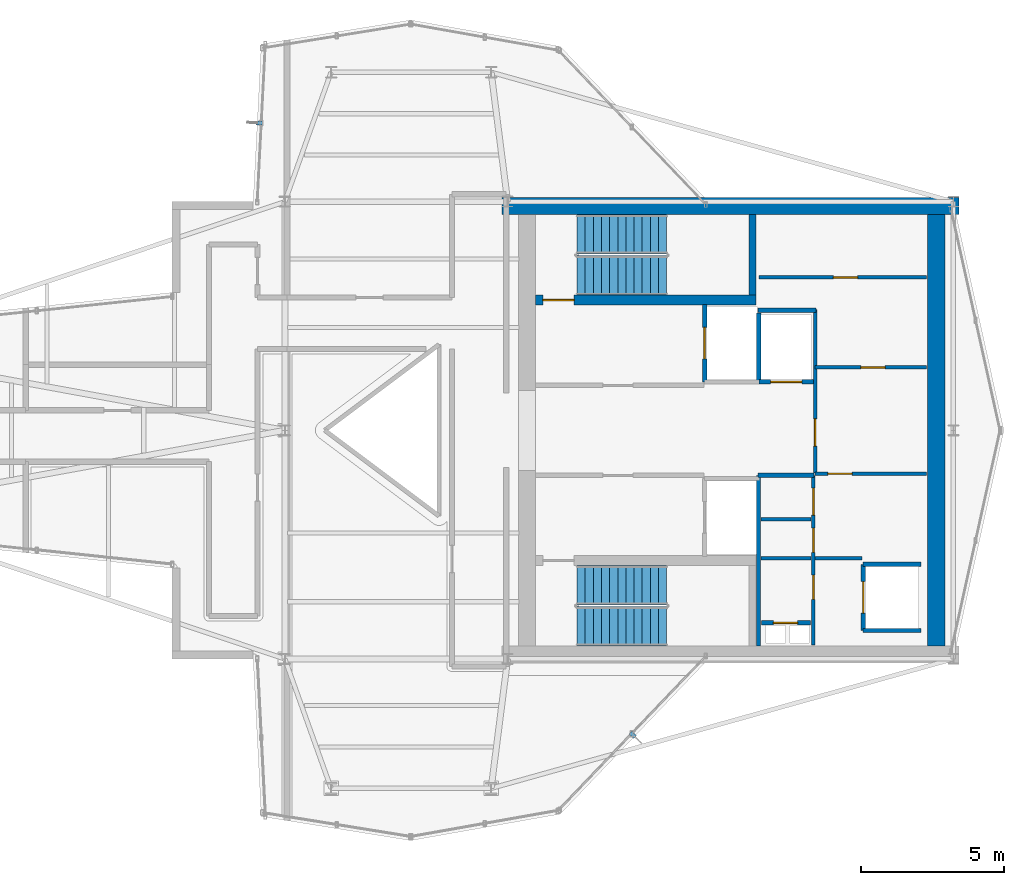
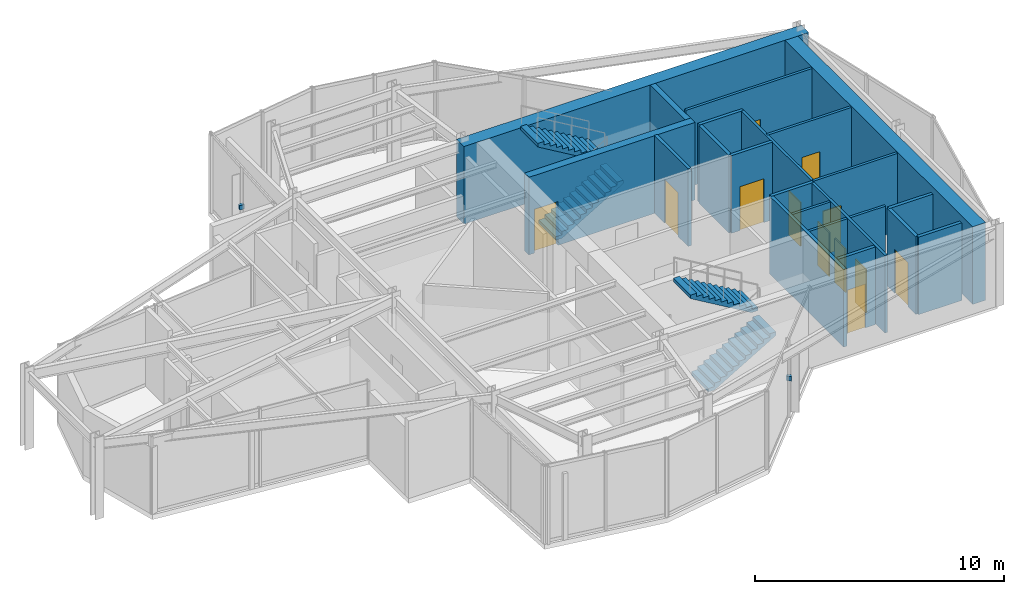
# One storey, part 12 of 14: 22 walls, 12 doors, 4 stair flights, 2 discrete accessories, 12 openings, 2 elements without a shape of their own.
"""IFC4 building model written with IfcOpenShell, lengths in metres."""

from ifc_helpers import new_model, si_unit, direction, frame, frame_2d, origin, origin_2d, place, context, subcontext, project, spatial, polyline, rectangle, outline, extrude, material, layer, layer_set, type_object, element, fill, aggregate, save


model = new_model("IFC4")

# Units and contexts
model_context = context("Model", 3, precision=1e-05, world=origin(), true_north=direction((0.0, 1.0)))
body_context = subcontext(model_context, "Body", "Model", "MODEL_VIEW")
ifc_project = project(units=[si_unit("LENGTHUNIT", "METRE"), si_unit("AREAUNIT", "SQUARE_METRE"), si_unit("VOLUMEUNIT", "CUBIC_METRE"), si_unit("PLANEANGLEUNIT", "RADIAN"), si_unit("MASSUNIT", "GRAM", prefix="KILO")], contexts=[model_context])

# Site, building, storey
site_placement = place(None, origin())
site = spatial("IfcSite", under=ifc_project, at=site_placement, CompositionType="ELEMENT")
building_placement = place(site_placement, origin())
building = spatial("IfcBuilding", under=site, at=building_placement, Name="Veymaron Broadcast Tower", CompositionType="ELEMENT")
storey_placement = place(building_placement, frame((0.0, 0.0, 295.199951171875)))
storey = spatial("IfcBuildingStorey", under=building, at=storey_placement, Name="L69", CompositionType="ELEMENT", Elevation=295.199951171875)

# Wall, opening, door
ifc_material_1 = material(Name="Gypsum fireboard and steel stud framing", Category="steel")
ifc_layer_1 = layer(ifc_material_1, 0.14990234375)
ifc_layer_set_1 = layer_set([ifc_layer_1], Name="Gypsum fireboard and steel stud framing")
wall_type_1 = type_object("IfcWallType", Name="WALL-FIRE-150", PredefinedType="PARTITIONING", material=ifc_layer_set_1)
wall_1_placement = place(storey_placement, frame((45.89501953125, 25.68994140625, 0.0), z_axis=(0.0, 0.0, 1.0), x_axis=(0.0, 1.0, 0.0)))
wall_1 = element("IfcWall", 1, at=wall_1_placement, inside=storey, type_object=wall_type_1, Name="L69 partition IW-L69-SHW-FFL-1", PredefinedType="PARTITIONING", context=body_context, shape_type="SweptSolid", body=[
    extrude(rectangle(XDim=2.719970703125, YDim=0.14990234375, at=frame_2d((1.35986328125, 0.0))), origin(), (0.0, 0.0, 1.0), 3.81005859375),
])
opening_1_placement = place(wall_1_placement, frame((0.81005859375, 0.0, 0.0)))
opening_1 = element("IfcOpeningElement", 2, at=opening_1_placement, cuts=wall_1, Name="Opening LD", PredefinedType="OPENING", context=body_context, shape_type="SweptSolid", body=[
    extrude(rectangle(XDim=1.10009765625, YDim=2.14990234375, at=frame_2d((0.550048828125, 1.074951171875))), frame((0.0, 0.0849609375, 0.0), z_axis=(0.0, -1.0, 0.0), x_axis=(1.0, 0.0, 0.0)), (0.0, 0.0, 1.0), 0.169921875),
])
ifc_material_2 = material(Name="Brushed stainless steel AISI 304", Category="steel")
door_type_1 = type_object("IfcDoorType", Name="DOOR-LIFT-1100", OperationType="DOUBLE_DOOR_SLIDING", PredefinedType="DOOR", material=ifc_material_2)
door_1_placement = place(opening_1_placement, frame((1.10009765625, 0.0, 0.0), z_axis=(0.0, 0.0, 1.0), x_axis=(-1.0, 0.0, 0.0)))
door_1 = element("IfcDoor", 3, at=door_1_placement, inside=storey, type_object=door_type_1, Name="L69 door LD-L69-FFL-1", OperationType="DOUBLE_DOOR_SLIDING", OverallHeight=2.14990234375, OverallWidth=1.10009765625, PredefinedType="DOOR", context=body_context, shape_type="SweptSolid", body=[
    extrude(rectangle(XDim=1.10009765625, YDim=2.14990234375, at=frame_2d((0.550048828125, 1.074951171875))), frame((0.0, 0.02490234375, 0.0), z_axis=(0.0, -1.0, 0.0), x_axis=(1.0, 0.0, 0.0)), (0.0, 0.0, 1.0), 0.050048828125),
])
fill(opening_1, door_1)

wall_2_placement = place(storey_placement, frame((47.7900390625, 25.695068359375, 0.0), z_axis=(0.0, 0.0, 1.0), x_axis=(1.0, 0.0, 0.0)))
wall_2 = element("IfcWall", 4, at=wall_2_placement, inside=storey, type_object=wall_type_1, Name="L69 partition IW-L69-SHS-SL-1", PredefinedType="PARTITIONING", context=body_context, shape_type="SweptSolid", body=[
    extrude(rectangle(XDim=1.919921875, YDim=0.14990234375, at=frame_2d((0.9599609375, 0.0))), origin(), (0.0, 0.0, 1.0), 3.81005859375),
])
opening_2_placement = place(wall_2_placement, frame((0.409912109375, 0.0, 0.0)))
opening_2 = element("IfcOpeningElement", 5, at=opening_2_placement, cuts=wall_2, Name="Opening LD", PredefinedType="OPENING", context=body_context, shape_type="SweptSolid", body=[
    extrude(rectangle(XDim=1.10009765625, YDim=2.14990234375, at=frame_2d((0.550048828125, 1.074951171875))), frame((0.0, 0.0849609375, 0.0), z_axis=(0.0, -1.0, 0.0), x_axis=(1.0, 0.0, 0.0)), (0.0, 0.0, 1.0), 0.169921875),
])
door_2_placement = place(opening_2_placement, frame((1.10009765625, 0.0, 0.0), z_axis=(0.0, 0.0, 1.0), x_axis=(-1.0, 0.0, 0.0)))
door_2 = element("IfcDoor", 6, at=door_2_placement, inside=storey, type_object=door_type_1, Name="L69 door LD-L69-SL-1", OperationType="DOUBLE_DOOR_SLIDING", OverallHeight=2.14990234375, OverallWidth=1.10009765625, PredefinedType="DOOR", context=body_context, shape_type="SweptSolid", body=[
    extrude(rectangle(XDim=1.10009765625, YDim=2.14990234375, at=frame_2d((0.550048828125, 1.074951171875))), frame((0.0, 0.02490234375, 0.0), z_axis=(0.0, -1.0, 0.0), x_axis=(1.0, 0.0, 0.0)), (0.0, 0.0, 1.0), 0.050048828125),
])
fill(opening_2, door_2)

# Wall
wall_3_placement = place(storey_placement, frame((47.7900390625, 25.695068359375, 0.0), z_axis=(0.0, 0.0, 1.0), x_axis=(0.0, 1.0, 0.0)))
element("IfcWall", 7, at=wall_3_placement, inside=storey, type_object=wall_type_1, Name="L69 partition IW-L69-SHW-SL-1", PredefinedType="PARTITIONING", context=body_context, shape_type="SweptSolid", body=[
    extrude(rectangle(XDim=2.4150390625, YDim=0.14990234375, at=frame_2d((1.20751953125, 0.0))), origin(), (0.0, 0.0, 1.0), 3.81005859375),
])

# Wall, opening, door
wall_4_placement = place(storey_placement, frame((51.445068359375, 16.989990234375, 0.0), z_axis=(0.0, 0.0, 1.0), x_axis=(0.0, 1.0, 0.0)))
wall_4 = element("IfcWall", 8, at=wall_4_placement, inside=storey, type_object=wall_type_1, Name="L69 partition IW-L69-SHW-PH1", PredefinedType="PARTITIONING", context=body_context, shape_type="SweptSolid", body=[
    extrude(rectangle(XDim=2.320068359375, YDim=0.14990234375, at=frame_2d((1.16015625, 0.0))), origin(), (0.0, 0.0, 1.0), 3.81005859375),
])
opening_3_placement = place(wall_4_placement, frame((0.610107421875, 0.0, 0.0)))
opening_3 = element("IfcOpeningElement", 9, at=opening_3_placement, cuts=wall_4, Name="Opening LD", PredefinedType="OPENING", context=body_context, shape_type="SweptSolid", body=[
    extrude(rectangle(XDim=1.10009765625, YDim=2.14990234375, at=frame_2d((0.550048828125, 1.074951171875))), frame((0.0, 0.0849609375, 0.0), z_axis=(0.0, -1.0, 0.0), x_axis=(1.0, 0.0, 0.0)), (0.0, 0.0, 1.0), 0.169921875),
])
door_3_placement = place(opening_3_placement, frame((1.10009765625, 0.0, 0.0), z_axis=(0.0, 0.0, 1.0), x_axis=(-1.0, 0.0, 0.0)))
door_3 = element("IfcDoor", 10, at=door_3_placement, inside=storey, type_object=door_type_1, Name="L69 door LD-L69-PH1", OperationType="DOUBLE_DOOR_SLIDING", OverallHeight=2.14990234375, OverallWidth=1.10009765625, PredefinedType="DOOR", context=body_context, shape_type="SweptSolid", body=[
    extrude(rectangle(XDim=1.10009765625, YDim=2.14990234375, at=frame_2d((0.550048828125, 1.074951171875))), frame((0.0, 0.02490234375, 0.0), z_axis=(0.0, -1.0, 0.0), x_axis=(1.0, 0.0, 0.0)), (0.0, 0.0, 1.0), 0.050048828125),
])
fill(opening_3, door_3)

# Walls
for number, where, z_axis, x_axis, name in (
    (11, (51.445068359375, 16.989990234375, 0.0), (0.0, 0.0, 1.0), (1.0, 0.0, 0.0), "L69 partition IW-L69-SHS-PH1"),
    (12, (51.445068359375, 19.31005859375, 0.0), (0.0, 0.0, 1.0), (1.0, 0.0, 0.0), "L69 partition IW-L69-SHN-PH1"),
):
    element("IfcWall", number, at=place(storey_placement, frame(where, z_axis=z_axis, x_axis=x_axis)), inside=storey, type_object=wall_type_1, Name=name, PredefinedType="PARTITIONING", context=body_context, shape_type="SweptSolid", body=[
        extrude(rectangle(XDim=2.014892578125, YDim=0.14990234375, at=frame_2d((1.00732421875, 0.0))), origin(), (0.0, 0.0, 1.0), 3.81005859375),
    ])

# Wall, opening, door
wall_5_placement = place(storey_placement, frame((47.8798828125, 17.260009765625, 0.0), z_axis=(0.0, 0.0, 1.0), x_axis=(1.0, 0.0, 0.0)))
wall_5 = element("IfcWall", 13, at=wall_5_placement, inside=storey, type_object=wall_type_1, Name="L69 partition IW-L69-RIS-N", PredefinedType="PARTITIONING", context=body_context, shape_type="SweptSolid", body=[
    extrude(rectangle(XDim=1.72021484375, YDim=0.14990234375, at=frame_2d((0.860107421875, 0.0))), origin(), (0.0, 0.0, 1.0), 3.81005859375),
])
opening_4_placement = place(wall_5_placement, frame((0.419921875, 0.0, 0.0)))
opening_4 = element("IfcOpeningElement", 14, at=opening_4_placement, cuts=wall_5, Name="Opening ID-RS1", PredefinedType="OPENING", context=body_context, shape_type="SweptSolid", body=[
    extrude(rectangle(XDim=0.85009765625, YDim=2.14990234375, at=frame_2d((0.425048828125, 1.074951171875))), frame((0.0, 0.0849609375, 0.0), z_axis=(0.0, -1.0, 0.0), x_axis=(1.0, 0.0, 0.0)), (0.0, 0.0, 1.0), 0.169921875),
])
ifc_material_3 = material(Name="Fire-rated powder-coated steel riser leaf", Category="steel")
door_type_2 = type_object("IfcDoorType", Name="DOOR-RIS-850", OperationType="NOTDEFINED", PredefinedType="TRAPDOOR", material=ifc_material_3)
door_4_placement = place(opening_4_placement, origin())
door_4 = element("IfcDoor", 15, at=door_4_placement, inside=storey, type_object=door_type_2, Name="L69 door DR-L69-RIS", OperationType="SINGLE_SWING_LEFT", OverallHeight=2.14990234375, OverallWidth=0.85009765625, PredefinedType="TRAPDOOR", context=body_context, shape_type="SweptSolid", body=[
    extrude(rectangle(XDim=0.85009765625, YDim=2.14990234375, at=frame_2d((0.425048828125, 1.074951171875))), frame((0.0, 0.02490234375, 0.0), z_axis=(0.0, -1.0, 0.0), x_axis=(1.0, 0.0, 0.0)), (0.0, 0.0, 1.0), 0.050048828125),
])
fill(opening_4, door_4)

# Walls
wall_6_placement = place(storey_placement, frame((47.760009765625, 22.425048828125, 0.0), z_axis=(0.0, 0.0, 1.0), x_axis=(1.0, 0.0, 0.0)))
element("IfcWall", 16, at=wall_6_placement, inside=storey, type_object=wall_type_1, Name="L69 partition IW-L69-SM-N", PredefinedType="PARTITIONING", context=body_context, shape_type="SweptSolid", body=[
    extrude(rectangle(XDim=1.9599609375, YDim=0.14990234375, at=frame_2d((0.97998046875, 0.0))), origin(), (0.0, 0.0, 1.0), 3.81005859375),
])
wall_7_placement = place(storey_placement, frame((47.780029296875, 16.449951171875, 0.0), z_axis=(0.0, 0.0, 1.0), x_axis=(0.0, 1.0, 0.0)))
element("IfcWall", 17, at=wall_7_placement, inside=storey, type_object=wall_type_1, Name="L69 partition IW-L69-SM-W", PredefinedType="PARTITIONING", context=body_context, shape_type="SweptSolid", body=[
    extrude(rectangle(XDim=5.97509765625, YDim=0.14990234375, at=frame_2d((2.987548828125, 0.0))), origin(), (0.0, 0.0, 1.0), 3.81005859375),
])
wall_8_placement = place(storey_placement, frame((47.760009765625, 28.199951171875, 0.0), z_axis=(0.0, 0.0, 1.0), x_axis=(1.0, 0.0, 0.0)))
element("IfcWall", 18, at=wall_8_placement, inside=storey, type_object=wall_type_1, Name="L69 partition IW-L69-F3-SW", PredefinedType="PARTITIONING", context=body_context, shape_type="SweptSolid", body=[
    extrude(rectangle(XDim=2.0400390625, YDim=0.14990234375, at=frame_2d((1.02001953125, 0.0))), origin(), (0.0, 0.0, 1.0), 3.81005859375),
])
ifc_material_4 = material(Name="Acoustic gypsum board and galvanized stud", Category="gypsum")
ifc_layer_2 = layer(ifc_material_4, 0.1201171875)
ifc_layer_set_2 = layer_set([ifc_layer_2], Name="Acoustic gypsum board and galvanized stud")
wall_type_2 = type_object("IfcWallType", Name="WALL-PART-120", PredefinedType="PARTITIONING", material=ifc_layer_set_2)
for number, where, z_axis, x_axis, name in (
    (19, (47.860107421875, 19.52001953125, 0.0), (0.0, 0.0, 1.0), (1.0, 0.0, 0.0), "L69 partition IW-L69-SM-D1"),
    (20, (47.860107421875, 20.8798828125, 0.0), (0.0, 0.0, 1.0), (1.0, 0.0, 0.0), "L69 partition IW-L69-SM-D2"),
):
    element("IfcWall", number, at=place(storey_placement, frame(where, z_axis=z_axis, x_axis=x_axis)), inside=storey, type_object=wall_type_2, Name=name, PredefinedType="PARTITIONING", context=body_context, shape_type="SweptSolid", body=[
        extrude(rectangle(XDim=1.760009765625, YDim=0.1201171875, at=frame_2d((0.8798828125, 0.0))), origin(), (0.0, 0.0, 1.0), 3.81005859375),
    ])

# Wall, openings, doors
wall_9_placement = place(storey_placement, frame((49.699951171875, 16.47998046875, 0.0), z_axis=(0.0, 0.0, 1.0), x_axis=(0.0, 1.0, 0.0)))
wall_9 = element("IfcWall", 21, at=wall_9_placement, inside=storey, type_object=wall_type_2, Name="L69 partition IW-L69-SM-E", PredefinedType="PARTITIONING", context=body_context, shape_type="SweptSolid", body=[
    extrude(rectangle(XDim=5.945068359375, YDim=0.1201171875, at=frame_2d((2.97265625, 0.0))), origin(), (0.0, 0.0, 1.0), 3.81005859375),
])
opening_5_placement = place(wall_9_placement, frame((1.60009765625, 0.0, 0.0)))
opening_5 = element("IfcOpeningElement", 22, at=opening_5_placement, cuts=wall_9, Name="Opening ID-WC1", PredefinedType="OPENING", context=body_context, shape_type="SweptSolid", body=[
    extrude(rectangle(XDim=0.85009765625, YDim=2.14990234375, at=frame_2d((0.425048828125, 1.074951171875))), frame((0.0, 0.070068359375, 0.0), z_axis=(0.0, -1.0, 0.0), x_axis=(1.0, 0.0, 0.0)), (0.0, 0.0, 1.0), 0.14013671875),
])
opening_6_placement = place(wall_9_placement, frame((3.25, 0.0, 0.0)))
opening_6 = element("IfcOpeningElement", 23, at=opening_6_placement, cuts=wall_9, Name="Opening ID-WC1", PredefinedType="OPENING", context=body_context, shape_type="SweptSolid", body=[
    extrude(rectangle(XDim=0.85009765625, YDim=2.14990234375, at=frame_2d((0.425048828125, 1.074951171875))), frame((0.0, 0.070068359375, 0.0), z_axis=(0.0, -1.0, 0.0), x_axis=(1.0, 0.0, 0.0)), (0.0, 0.0, 1.0), 0.14013671875),
])
opening_7_placement = place(wall_9_placement, frame((4.550048828125, 0.0, 0.0)))
opening_7 = element("IfcOpeningElement", 24, at=opening_7_placement, cuts=wall_9, Name="Opening ID-RM1", PredefinedType="OPENING", context=body_context, shape_type="SweptSolid", body=[
    extrude(rectangle(XDim=0.949951171875, YDim=2.14990234375, at=frame_2d((0.47509765625, 1.074951171875))), frame((0.0, 0.070068359375, 0.0), z_axis=(0.0, -1.0, 0.0), x_axis=(1.0, 0.0, 0.0)), (0.0, 0.0, 1.0), 0.14013671875),
])
ifc_material_5 = material(Name="Moisture-resistant high-pressure laminate timber", Category="wood")
door_type_3 = type_object("IfcDoorType", Name="DOOR-INT-850", OperationType="NOTDEFINED", PredefinedType="DOOR", material=ifc_material_5)
door_5_placement = place(opening_5_placement, frame((0.85009765625, 0.0, 0.0), z_axis=(0.0, 0.0, 1.0), x_axis=(-1.0, 0.0, 0.0)))
door_5 = element("IfcDoor", 25, at=door_5_placement, inside=storey, type_object=door_type_3, Name="L69 door DR-L69-JST", OperationType="SINGLE_SWING_LEFT", OverallHeight=2.14990234375, OverallWidth=0.85009765625, PredefinedType="DOOR", context=body_context, shape_type="SweptSolid", body=[
    extrude(rectangle(XDim=0.85009765625, YDim=2.14990234375, at=frame_2d((0.425048828125, 1.074951171875))), frame((0.0, 0.02490234375, 0.0), z_axis=(0.0, -1.0, 0.0), x_axis=(1.0, 0.0, 0.0)), (0.0, 0.0, 1.0), 0.050048828125),
])
fill(opening_5, door_5)
door_6_placement = place(opening_6_placement, frame((0.85009765625, 0.0, 0.0), z_axis=(0.0, 0.0, 1.0), x_axis=(-1.0, 0.0, 0.0)))
door_6 = element("IfcDoor", 26, at=door_6_placement, inside=storey, type_object=door_type_3, Name="L69 door DR-L69-SWC", OperationType="SINGLE_SWING_RIGHT", OverallHeight=2.14990234375, OverallWidth=0.85009765625, PredefinedType="DOOR", context=body_context, shape_type="SweptSolid", body=[
    extrude(rectangle(XDim=0.85009765625, YDim=2.14990234375, at=frame_2d((0.425048828125, 1.074951171875))), frame((0.0, 0.02490234375, 0.0), z_axis=(0.0, -1.0, 0.0), x_axis=(1.0, 0.0, 0.0)), (0.0, 0.0, 1.0), 0.050048828125),
])
fill(opening_6, door_6)
ifc_material_6 = material(Name="Acoustic solid-core European oak veneer timber", Category="wood")
door_type_4 = type_object("IfcDoorType", Name="DOOR-INT-950", OperationType="NOTDEFINED", PredefinedType="DOOR", material=ifc_material_6)
door_7_placement = place(opening_7_placement, frame((0.949951171875, 0.0, 0.0), z_axis=(0.0, 0.0, 1.0), x_axis=(-1.0, 0.0, 0.0)))
door_7 = element("IfcDoor", 27, at=door_7_placement, inside=storey, type_object=door_type_4, Name="L69 door DR-L69-AWC", OperationType="SINGLE_SWING_LEFT", OverallHeight=2.14990234375, OverallWidth=0.949951171875, PredefinedType="DOOR", context=body_context, shape_type="SweptSolid", body=[
    extrude(rectangle(XDim=0.949951171875, YDim=2.14990234375, at=frame_2d((0.47509765625, 1.074951171875))), frame((0.0, 0.02490234375, 0.0), z_axis=(0.0, -1.0, 0.0), x_axis=(1.0, 0.0, 0.0)), (0.0, 0.0, 1.0), 0.050048828125),
])
fill(opening_7, door_7)

# Wall, opening, door
wall_10_placement = place(storey_placement, frame((49.760009765625, 22.47998046875, 0.0), z_axis=(0.0, 0.0, 1.0), x_axis=(1.0, 0.0, 0.0)))
wall_10 = element("IfcWall", 28, at=wall_10_placement, inside=storey, type_object=wall_type_2, Name="L69 partition IW-L69-F3S-N", PredefinedType="PARTITIONING", context=body_context, shape_type="SweptSolid", body=[
    extrude(rectangle(XDim=3.89990234375, YDim=0.1201171875, at=frame_2d((1.949951171875, 0.0))), origin(), (0.0, 0.0, 1.0), 3.81005859375),
])
opening_8_placement = place(wall_10_placement, frame((0.449951171875, 0.0, 0.0)))
opening_8 = element("IfcOpeningElement", 29, at=opening_8_placement, cuts=wall_10, Name="Opening ID-WC1", PredefinedType="OPENING", context=body_context, shape_type="SweptSolid", body=[
    extrude(rectangle(XDim=0.85009765625, YDim=2.14990234375, at=frame_2d((0.425048828125, 1.074951171875))), frame((0.0, 0.070068359375, 0.0), z_axis=(0.0, -1.0, 0.0), x_axis=(1.0, 0.0, 0.0)), (0.0, 0.0, 1.0), 0.14013671875),
])
door_8_placement = place(opening_8_placement, frame((0.85009765625, 0.0, 0.0), z_axis=(0.0, 0.0, 1.0), x_axis=(-1.0, 0.0, 0.0)))
door_8 = element("IfcDoor", 30, at=door_8_placement, inside=storey, type_object=door_type_3, Name="L69 door DR-L69-F3S", OperationType="SINGLE_SWING_LEFT", OverallHeight=2.14990234375, OverallWidth=0.85009765625, PredefinedType="DOOR", context=body_context, shape_type="SweptSolid", body=[
    extrude(rectangle(XDim=0.85009765625, YDim=2.14990234375, at=frame_2d((0.425048828125, 1.074951171875))), frame((0.0, 0.02490234375, 0.0), z_axis=(0.0, -1.0, 0.0), x_axis=(1.0, 0.0, 0.0)), (0.0, 0.0, 1.0), 0.050048828125),
])
fill(opening_8, door_8)

# Wall
wall_11_placement = place(storey_placement, frame((49.760009765625, 19.52001953125, 0.0), z_axis=(0.0, 0.0, 1.0), x_axis=(1.0, 0.0, 0.0)))
element("IfcWall", 31, at=wall_11_placement, inside=storey, type_object=wall_type_2, Name="L69 partition IW-L69-F3S-S", PredefinedType="PARTITIONING", context=body_context, shape_type="SweptSolid", body=[
    extrude(rectangle(XDim=1.639892578125, YDim=0.1201171875, at=frame_2d((0.81982421875, 0.0))), origin(), (0.0, 0.0, 1.0), 3.81005859375),
])

# Wall, opening, door
wall_12_placement = place(storey_placement, frame((49.760009765625, 22.5, 0.0), z_axis=(0.0, 0.0, 1.0), x_axis=(0.0, 1.0, 0.0)))
wall_12 = element("IfcWall", 32, at=wall_12_placement, inside=storey, type_object=wall_type_2, Name="L69 partition IW-L69-F3-W", PredefinedType="PARTITIONING", context=body_context, shape_type="SweptSolid", body=[
    extrude(rectangle(XDim=5.719970703125, YDim=0.1201171875, at=frame_2d((2.85986328125, 0.0))), origin(), (0.0, 0.0, 1.0), 3.81005859375),
])
opening_9_placement = place(wall_12_placement, frame((0.949951171875, 0.0, 0.0)))
opening_9 = element("IfcOpeningElement", 33, at=opening_9_placement, cuts=wall_12, Name="Opening ID-RM1", PredefinedType="OPENING", context=body_context, shape_type="SweptSolid", body=[
    extrude(rectangle(XDim=0.949951171875, YDim=2.14990234375, at=frame_2d((0.47509765625, 1.074951171875))), frame((0.0, 0.070068359375, 0.0), z_axis=(0.0, -1.0, 0.0), x_axis=(1.0, 0.0, 0.0)), (0.0, 0.0, 1.0), 0.14013671875),
])
door_9_placement = place(opening_9_placement, origin())
door_9 = element("IfcDoor", 34, at=door_9_placement, inside=storey, type_object=door_type_4, Name="L69 door DR-L69-F3A", OperationType="SINGLE_SWING_LEFT", OverallHeight=2.14990234375, OverallWidth=0.949951171875, PredefinedType="DOOR", context=body_context, shape_type="SweptSolid", body=[
    extrude(rectangle(XDim=0.949951171875, YDim=2.14990234375, at=frame_2d((0.47509765625, 1.074951171875))), frame((0.0, 0.02490234375, 0.0), z_axis=(0.0, -1.0, 0.0), x_axis=(1.0, 0.0, 0.0)), (0.0, 0.0, 1.0), 0.050048828125),
])
fill(opening_9, door_9)

wall_13_placement = place(storey_placement, frame((49.760009765625, 26.199951171875, 0.0), z_axis=(0.0, 0.0, 1.0), x_axis=(1.0, 0.0, 0.0)))
wall_13 = element("IfcWall", 35, at=wall_13_placement, inside=storey, type_object=wall_type_2, Name="L69 partition IW-L69-F3-M1", PredefinedType="PARTITIONING", context=body_context, shape_type="SweptSolid", body=[
    extrude(rectangle(XDim=3.89990234375, YDim=0.1201171875, at=frame_2d((1.949951171875, 0.0))), origin(), (0.0, 0.0, 1.0), 3.81005859375),
])
opening_10_placement = place(wall_13_placement, frame((1.60009765625, 0.0, 0.0)))
opening_10 = element("IfcOpeningElement", 36, at=opening_10_placement, cuts=wall_13, Name="Opening ID-WC1", PredefinedType="OPENING", context=body_context, shape_type="SweptSolid", body=[
    extrude(rectangle(XDim=0.85009765625, YDim=2.14990234375, at=frame_2d((0.425048828125, 1.074951171875))), frame((0.0, 0.070068359375, 0.0), z_axis=(0.0, -1.0, 0.0), x_axis=(1.0, 0.0, 0.0)), (0.0, 0.0, 1.0), 0.14013671875),
])
door_10_placement = place(opening_10_placement, origin())
door_10 = element("IfcDoor", 37, at=door_10_placement, inside=storey, type_object=door_type_3, Name="L69 door DR-L69-F3B", OperationType="SINGLE_SWING_LEFT", OverallHeight=2.14990234375, OverallWidth=0.85009765625, PredefinedType="DOOR", context=body_context, shape_type="SweptSolid", body=[
    extrude(rectangle(XDim=0.85009765625, YDim=2.14990234375, at=frame_2d((0.425048828125, 1.074951171875))), frame((0.0, 0.02490234375, 0.0), z_axis=(0.0, -1.0, 0.0), x_axis=(1.0, 0.0, 0.0)), (0.0, 0.0, 1.0), 0.050048828125),
])
fill(opening_10, door_10)

wall_14_placement = place(storey_placement, frame((47.800048828125, 29.35009765625, 0.0), z_axis=(0.0, 0.0, 1.0), x_axis=(1.0, 0.0, 0.0)))
wall_14 = element("IfcWall", 38, at=wall_14_placement, inside=storey, type_object=wall_type_2, Name="L69 partition IW-L69-F3-M2", PredefinedType="PARTITIONING", context=body_context, shape_type="SweptSolid", body=[
    extrude(rectangle(XDim=5.85986328125, YDim=0.1201171875, at=frame_2d((2.929931640625, 0.0))), origin(), (0.0, 0.0, 1.0), 3.81005859375),
])
opening_11_placement = place(wall_14_placement, frame((2.60009765625, 0.0, 0.0)))
opening_11 = element("IfcOpeningElement", 39, at=opening_11_placement, cuts=wall_14, Name="Opening ID-WC1", PredefinedType="OPENING", context=body_context, shape_type="SweptSolid", body=[
    extrude(rectangle(XDim=0.85009765625, YDim=2.14990234375, at=frame_2d((0.425048828125, 1.074951171875))), frame((0.0, 0.070068359375, 0.0), z_axis=(0.0, -1.0, 0.0), x_axis=(1.0, 0.0, 0.0)), (0.0, 0.0, 1.0), 0.14013671875),
])
door_11_placement = place(opening_11_placement, origin())
door_11 = element("IfcDoor", 40, at=door_11_placement, inside=storey, type_object=door_type_3, Name="L69 door DR-L69-F3C", OperationType="SINGLE_SWING_RIGHT", OverallHeight=2.14990234375, OverallWidth=0.85009765625, PredefinedType="DOOR", context=body_context, shape_type="SweptSolid", body=[
    extrude(rectangle(XDim=0.85009765625, YDim=2.14990234375, at=frame_2d((0.425048828125, 1.074951171875))), frame((0.0, 0.02490234375, 0.0), z_axis=(0.0, -1.0, 0.0), x_axis=(1.0, 0.0, 0.0)), (0.0, 0.0, 1.0), 0.050048828125),
])
fill(opening_11, door_11)

# Wall
ifc_material_7 = material(Name="Concrete C50/60", Category="concrete")
ifc_layer_3 = layer(ifc_material_7, 0.25)
ifc_layer_set_3 = layer_set([ifc_layer_3], Name="Concrete C50/60")
wall_type_3 = type_object("IfcWallType", Name="WALL-SHEAR-250", PredefinedType="SHEAR", material=ifc_layer_set_3)
wall_15_placement = place(storey_placement, frame((47.56494140625, 28.72998046875, 0.0), z_axis=(0.0, 0.0, 1.0), x_axis=(0.0, 1.0, 0.0)))
element("IfcWall", 41, at=wall_15_placement, inside=storey, type_object=wall_type_3, Name="L69 Core Wall north stair east shear", PredefinedType="SHEAR", context=body_context, shape_type="SweptSolid", body=[
    extrude(rectangle(XDim=2.820068359375, YDim=0.25, at=frame_2d((1.41015625, 0.0))), origin(), (0.0, 0.0, 1.0), 3.81005859375),
])

# Wall, opening, door
ifc_layer_4 = layer(ifc_material_7, 0.35009765625)
ifc_layer_set_4 = layer_set([ifc_layer_4], Name="Concrete C50/60")
wall_type_4 = type_object("IfcWallType", Name="WALL-SHEAR-350", PredefinedType="SHEAR", material=ifc_layer_set_4)
wall_16_placement = place(storey_placement, frame((39.97998046875, 28.554931640625, 0.0), z_axis=(0.0, 0.0, 1.0), x_axis=(1.0, 0.0, 0.0)))
wall_16 = element("IfcWall", 42, at=wall_16_placement, inside=storey, type_object=wall_type_4, Name="L69 Core Wall north stair spine", PredefinedType="SHEAR", context=body_context, shape_type="SweptSolid", body=[
    extrude(rectangle(XDim=7.7099609375, YDim=0.35009765625, at=frame_2d((3.85498046875, 0.0))), origin(), (0.0, 0.0, 1.0), 3.81005859375),
])
opening_12_placement = place(wall_16_placement, frame((0.25, 0.0, 0.0)))
opening_12 = element("IfcOpeningElement", 43, at=opening_12_placement, cuts=wall_16, Name="Opening ID-ST1", PredefinedType="OPENING", context=body_context, shape_type="SweptSolid", body=[
    extrude(rectangle(XDim=1.10009765625, YDim=2.14990234375, at=frame_2d((0.550048828125, 1.074951171875))), frame((0.0, 0.18505859375, 0.0), z_axis=(0.0, -1.0, 0.0), x_axis=(1.0, 0.0, 0.0)), (0.0, 0.0, 1.0), 0.3701171875),
])
ifc_material_8 = material(Name="Fire-rated painted hollow steel ASTM A653", Category="steel")
door_type_5 = type_object("IfcDoorType", Name="DOOR-STAIR-1100", OperationType="NOTDEFINED", PredefinedType="DOOR", material=ifc_material_8)
door_12_placement = place(opening_12_placement, origin())
door_12 = element("IfcDoor", 44, at=door_12_placement, inside=storey, type_object=door_type_5, Name="L69 exit stair ST1 fire door", OperationType="SINGLE_SWING_RIGHT", OverallHeight=2.14990234375, OverallWidth=1.10009765625, PredefinedType="DOOR", context=body_context, shape_type="SweptSolid", body=[
    extrude(rectangle(XDim=1.10009765625, YDim=2.14990234375, at=frame_2d((0.550048828125, 1.074951171875))), frame((0.0, 0.02490234375, 0.0), z_axis=(0.0, -1.0, 0.0), x_axis=(1.0, 0.0, 0.0)), (0.0, 0.0, 1.0), 0.050048828125),
])
fill(opening_12, door_12)

# Walls
ifc_layer_5 = layer(ifc_material_7, 0.60009765625)
ifc_layer_set_5 = layer_set([ifc_layer_5], Name="Concrete C50/60")
wall_type_5 = type_object("IfcWallType", Name="WALL-SHEAR-600", PredefinedType="SHEAR", material=ifc_layer_set_5)
wall_17_placement = place(storey_placement, frame((38.800048828125, 31.85009765625, 0.0), z_axis=(0.0, 0.0, 1.0), x_axis=(1.0, 0.0, 0.0)))
element("IfcWall", 45, at=wall_17_placement, inside=storey, type_object=wall_type_5, Name="L69 Core Wall north shear", PredefinedType="SHEAR", context=body_context, shape_type="SweptSolid", body=[
    extrude(rectangle(XDim=16.0, YDim=0.60009765625, at=frame_2d((8.0, 0.0))), origin(), (0.0, 0.0, 1.0), 3.81005859375),
])
wall_18_placement = place(storey_placement, frame((54.0, 16.449951171875, 0.0), z_axis=(0.0, 0.0, 1.0), x_axis=(0.0, 1.0, 0.0)))
element("IfcWall", 46, at=wall_18_placement, inside=storey, type_object=wall_type_5, Name="L69 Core Wall east shear", PredefinedType="SHEAR", context=body_context, shape_type="SweptSolid", body=[
    extrude(rectangle(XDim=15.10009765625, YDim=0.60009765625, at=frame_2d((7.550048828125, 0.0))), origin(), (0.0, 0.0, 1.0), 3.81005859375),
])

# Stair, stair flights
stair_type_1 = type_object("IfcStairType", Name="STAIR-CORE-1", PredefinedType="HALF_TURN_STAIR", material=ifc_material_7)
stair_1_placement = place(storey_placement, origin())
stair_1 = element("IfcStair", 47, at=stair_1_placement, inside=storey, type_object=stair_type_1, Name="L69 North protected dog-leg exit stair ST1", PredefinedType="HALF_TURN_STAIR")
ifc_material_9 = material(Name="Precast concrete C50/60", Category="concrete")
stair_flight_type = type_object("IfcStairFlightType", Name="FLT-CORE-RC", PredefinedType="STRAIGHT", material=ifc_material_9)
stair_flight_1_placement = place(storey_placement, frame((41.429931640625, 29.419921875, 0.0), z_axis=(0.0, 0.0, 1.0), x_axis=(1.0, 0.0, 0.0)))
stair_flight_1 = element("IfcStairFlight", 48, at=stair_flight_1_placement, type_object=stair_flight_type, Name="ST1 flight 1", NumberOfRisers=12, NumberOfTreads=11, PredefinedType="STRAIGHT", RiserHeight=0.16875, TreadLength=0.285, context=body_context, shape_type="SweptSolid", body=[
    extrude(outline(polyline([(0.0, 0.0), (0.0, 0.168701171875), (0.284912109375, 0.168701171875), (0.284912109375, 0.33740234375), (0.570068359375, 0.33740234375), (0.570068359375, 0.50634765625), (0.85498046875, 0.50634765625), (0.85498046875, 0.675048828125), (1.139892578125, 0.675048828125), (1.139892578125, 0.84375), (1.425048828125, 0.84375), (1.425048828125, 1.012451171875), (1.7099609375, 1.012451171875), (1.7099609375, 1.18115234375), (1.9951171875, 1.18115234375), (1.9951171875, 1.35009765625), (2.280029296875, 1.35009765625), (2.280029296875, 1.518798828125), (2.56494140625, 1.518798828125), (2.56494140625, 1.6875), (2.85009765625, 1.6875), (2.85009765625, 1.856201171875), (3.135009765625, 1.856201171875), (3.135009765625, 2.02490234375), (3.135009765625, 1.68212890625), (0.294189453125, 0.0), (0.0, 0.0)])), frame((0.0, 0.68994140625, 0.0), z_axis=(0.0, -1.0, 0.0), x_axis=(1.0, 0.0, 0.0)), (0.0, 0.0, 1.0), 1.3798828125),
])
stair_flight_2_placement = place(storey_placement, frame((44.56494140625, 30.860107421875, 2.025146484375), z_axis=(0.0, 0.0, 1.0), x_axis=(-1.0, 0.0, 0.0)))
stair_flight_2 = element("IfcStairFlight", 49, at=stair_flight_2_placement, type_object=stair_flight_type, Name="ST1 flight 2", NumberOfRisers=12, NumberOfTreads=11, PredefinedType="STRAIGHT", RiserHeight=0.16875, TreadLength=0.285, context=body_context, shape_type="SweptSolid", body=[
    extrude(outline(polyline([(0.0, 0.0), (0.0, 0.168701171875), (0.284912109375, 0.168701171875), (0.284912109375, 0.33740234375), (0.570068359375, 0.33740234375), (0.570068359375, 0.50634765625), (0.85498046875, 0.50634765625), (0.85498046875, 0.675048828125), (1.139892578125, 0.675048828125), (1.139892578125, 0.84375), (1.425048828125, 0.84375), (1.425048828125, 1.012451171875), (1.7099609375, 1.012451171875), (1.7099609375, 1.18115234375), (1.9951171875, 1.18115234375), (1.9951171875, 1.35009765625), (2.280029296875, 1.35009765625), (2.280029296875, 1.518798828125), (2.56494140625, 1.518798828125), (2.56494140625, 1.6875), (2.85009765625, 1.6875), (2.85009765625, 1.856201171875), (3.135009765625, 1.856201171875), (3.135009765625, 2.02490234375), (3.135009765625, 1.68212890625), (0.294189453125, 0.0), (0.0, 0.0)])), frame((0.0, 0.68994140625, 0.0), z_axis=(0.0, -1.0, 0.0), x_axis=(1.0, 0.0, 0.0)), (0.0, 0.0, 1.0), 1.3798828125),
])
aggregate(stair_1, [stair_flight_1, stair_flight_2])

stair_type_2 = type_object("IfcStairType", Name="STAIR-CORE-2", PredefinedType="HALF_TURN_STAIR", material=ifc_material_7)
stair_2_placement = place(storey_placement, origin())
stair_2 = element("IfcStair", 50, at=stair_2_placement, inside=storey, type_object=stair_type_2, Name="L69 South protected dog-leg exit stair ST2", PredefinedType="HALF_TURN_STAIR")
stair_flight_3_placement = place(storey_placement, frame((41.429931640625, 17.139892578125, 0.0), z_axis=(0.0, 0.0, 1.0), x_axis=(1.0, 0.0, 0.0)))
stair_flight_3 = element("IfcStairFlight", 51, at=stair_flight_3_placement, type_object=stair_flight_type, Name="ST2 flight 1", NumberOfRisers=12, NumberOfTreads=11, PredefinedType="STRAIGHT", RiserHeight=0.16875, TreadLength=0.285, context=body_context, shape_type="SweptSolid", body=[
    extrude(outline(polyline([(0.0, 0.0), (0.0, 0.168701171875), (0.284912109375, 0.168701171875), (0.284912109375, 0.33740234375), (0.570068359375, 0.33740234375), (0.570068359375, 0.50634765625), (0.85498046875, 0.50634765625), (0.85498046875, 0.675048828125), (1.139892578125, 0.675048828125), (1.139892578125, 0.84375), (1.425048828125, 0.84375), (1.425048828125, 1.012451171875), (1.7099609375, 1.012451171875), (1.7099609375, 1.18115234375), (1.9951171875, 1.18115234375), (1.9951171875, 1.35009765625), (2.280029296875, 1.35009765625), (2.280029296875, 1.518798828125), (2.56494140625, 1.518798828125), (2.56494140625, 1.6875), (2.85009765625, 1.6875), (2.85009765625, 1.856201171875), (3.135009765625, 1.856201171875), (3.135009765625, 2.02490234375), (3.135009765625, 1.68212890625), (0.294189453125, 0.0), (0.0, 0.0)])), frame((0.0, 0.68994140625, 0.0), z_axis=(0.0, -1.0, 0.0), x_axis=(1.0, 0.0, 0.0)), (0.0, 0.0, 1.0), 1.3798828125),
])
stair_flight_4_placement = place(storey_placement, frame((44.56494140625, 18.580078125, 2.025146484375), z_axis=(0.0, 0.0, 1.0), x_axis=(-1.0, 0.0, 0.0)))
stair_flight_4 = element("IfcStairFlight", 52, at=stair_flight_4_placement, type_object=stair_flight_type, Name="ST2 flight 2", NumberOfRisers=12, NumberOfTreads=11, PredefinedType="STRAIGHT", RiserHeight=0.16875, TreadLength=0.285, context=body_context, shape_type="SweptSolid", body=[
    extrude(outline(polyline([(0.0, 0.0), (0.0, 0.168701171875), (0.284912109375, 0.168701171875), (0.284912109375, 0.33740234375), (0.570068359375, 0.33740234375), (0.570068359375, 0.50634765625), (0.85498046875, 0.50634765625), (0.85498046875, 0.675048828125), (1.139892578125, 0.675048828125), (1.139892578125, 0.84375), (1.425048828125, 0.84375), (1.425048828125, 1.012451171875), (1.7099609375, 1.012451171875), (1.7099609375, 1.18115234375), (1.9951171875, 1.18115234375), (1.9951171875, 1.35009765625), (2.280029296875, 1.35009765625), (2.280029296875, 1.518798828125), (2.56494140625, 1.518798828125), (2.56494140625, 1.6875), (2.85009765625, 1.6875), (2.85009765625, 1.856201171875), (3.135009765625, 1.856201171875), (3.135009765625, 2.02490234375), (3.135009765625, 1.68212890625), (0.294189453125, 0.0), (0.0, 0.0)])), frame((0.0, 0.68994140625, 0.0), z_axis=(0.0, -1.0, 0.0), x_axis=(1.0, 0.0, 0.0)), (0.0, 0.0, 1.0), 1.3798828125),
])
aggregate(stair_2, [stair_flight_3, stair_flight_4])

# Discrete accessories
ifc_material_10 = material(Name="Austenitic stainless steel AISI 316L", Category="steel")
ifc_layer_6 = layer(ifc_material_10, 0.1201171875)
ifc_layer_set_6 = layer_set([ifc_layer_6], Name="Austenitic stainless steel AISI 316L")
discrete_accessory_type = type_object("IfcDiscreteAccessoryType", Name="ACC-BRKT-SS1", PredefinedType="BRACKET", material=ifc_layer_set_6)
for number, where, z_axis, x_axis, name in (
    (53, (30.3125, 34.75439453125, 1.794921875), (0.0, 0.0, 1.0), (-0.998679313556, 0.051377316741, 0.0), "CW-L69-E8-1 fin bracket 1"),
    (54, (43.3818359375, 13.3388671875, 1.794921875), (0.0, 0.0, 1.0), (0.722979203972, -0.690869792815, 0.0), "CW-L69-E20-1 fin bracket 1"),
):
    element("IfcDiscreteAccessory", number, at=place(storey_placement, frame(where, z_axis=z_axis, x_axis=x_axis)), inside=storey, type_object=discrete_accessory_type, Name=name, PredefinedType="BRACKET", context=body_context, shape_type="SweptSolid", body=[
        extrude(rectangle(XDim=0.219970703125, YDim=0.139892578125, at=origin_2d()), origin(), (0.0, 0.0, 1.0), 0.219970703125),
    ])

save(model, "model.ifc")
